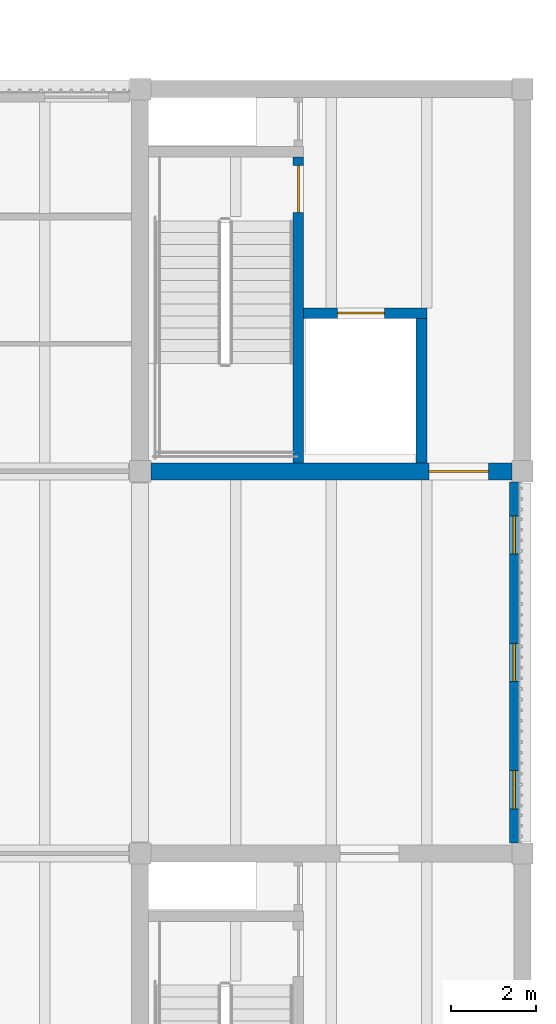
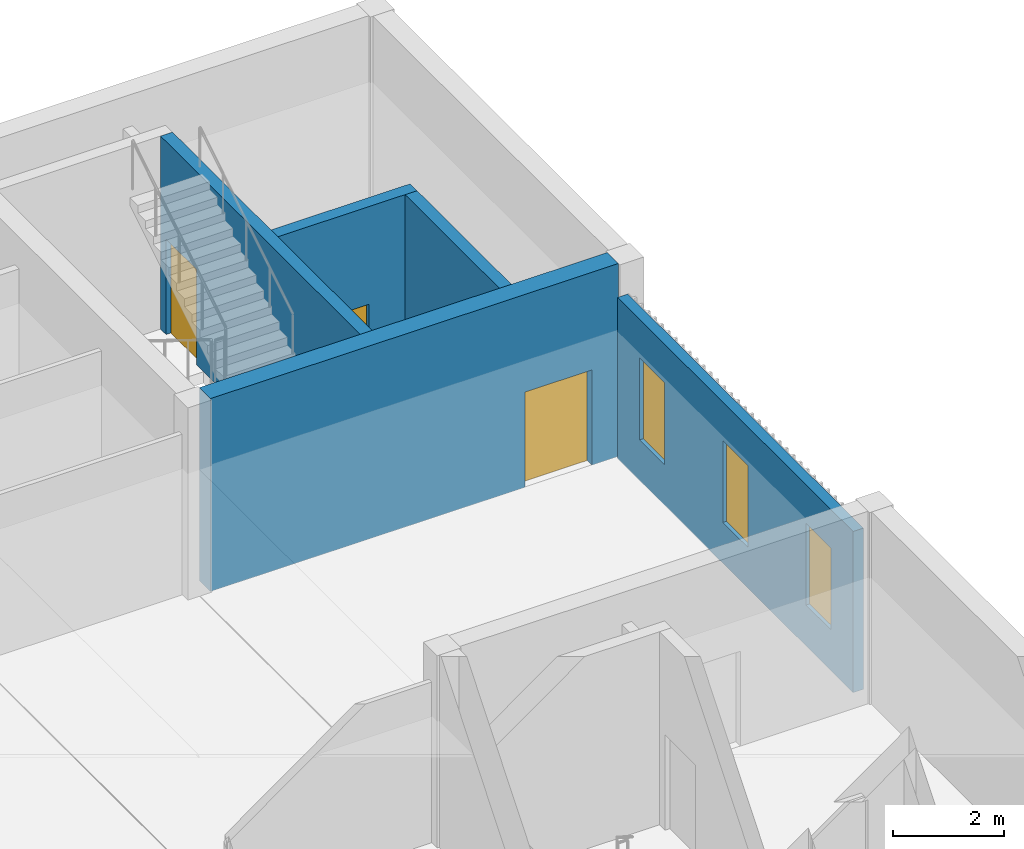
# One storey, part 56 of 92: 5 walls, 3 doors, 3 windows, 6 openings.
"""IFC4 building model written with IfcOpenShell, lengths in metres."""

from ifc_helpers import new_model, si_unit, direction, frame, frame_2d, origin, place, context, subcontext, project, spatial, rectangle, extrude, material, layer, layer_set, type_object, element, fill, save


model = new_model("IFC4")

# Units and contexts
model_context = context("Model", 3, precision=1e-05, world=origin(), true_north=direction((0.0, 1.0)))
body_context = subcontext(model_context, "Body", "Model", "MODEL_VIEW")
ifc_project = project(units=[si_unit("LENGTHUNIT", "METRE"), si_unit("AREAUNIT", "SQUARE_METRE"), si_unit("VOLUMEUNIT", "CUBIC_METRE"), si_unit("PLANEANGLEUNIT", "RADIAN"), si_unit("MASSUNIT", "GRAM", prefix="KILO")], contexts=[model_context])

# Site, building, storey
site_placement = place(None, origin())
site = spatial("IfcSite", under=ifc_project, at=site_placement, CompositionType="ELEMENT")
building_placement = place(site_placement, origin())
building = spatial("IfcBuilding", under=site, at=building_placement, Name="Merrow Basin Faculty of Sciences", CompositionType="ELEMENT")
storey_placement = place(building_placement, frame((0.0, 0.0, 4.5)))
storey = spatial("IfcBuildingStorey", under=building, at=storey_placement, Name="L01", CompositionType="ELEMENT", Elevation=4.5)

# Wall, openings, windows
ifc_material_1 = material(Name="Precast concrete C40/50", Category="concrete")
ifc_layer_1 = layer(ifc_material_1, 0.215087890625)
ifc_layer_set_1 = layer_set([ifc_layer_1], Name="External infill wall 215 Precast concrete C40/50")
wall_type_1 = type_object("IfcWallType", Name="External infill wall 215 Precast concrete C40/50", PredefinedType="STANDARD", material=ifc_layer_set_1)
wall_1_placement = place(storey_placement, frame((71.80810546875, 123.75, 0.0), z_axis=(0.0, 0.0, 1.0), x_axis=(0.0, -1.0, 0.0)))
wall_1 = element("IfcWall", 1, at=wall_1_placement, inside=storey, type_object=wall_type_1, Name="E external wall 8", PredefinedType="STANDARD", context=body_context, shape_type="SweptSolid", body=[
    extrude(rectangle(XDim=8.5, YDim=0.215087890625, at=frame_2d((4.25, 0.0))), origin(), (0.0, 0.0, 1.0), 3.550048828125),
])
opening_1_placement = place(wall_1_placement, frame((6.800048828125, 0.0, 0.89990234375)))
opening_1 = element("IfcOpeningElement", 2, at=opening_1_placement, cuts=wall_1, Name="Opening WN17", PredefinedType="OPENING", context=body_context, shape_type="SweptSolid", body=[
    extrude(rectangle(XDim=0.89990234375, YDim=1.800048828125, at=frame_2d((0.449951171875, 0.89990234375))), frame((0.0, 0.117431640625, 0.0), z_axis=(0.0, -1.0, 0.0), x_axis=(1.0, 0.0, 0.0)), (0.0, 0.0, 1.0), 0.235107421875),
])
opening_2_placement = place(wall_1_placement, frame((3.800048828125, 0.0, 0.89990234375)))
opening_2 = element("IfcOpeningElement", 3, at=opening_2_placement, cuts=wall_1, Name="Opening WN17", PredefinedType="OPENING", context=body_context, shape_type="SweptSolid", body=[
    extrude(rectangle(XDim=0.89990234375, YDim=1.800048828125, at=frame_2d((0.449951171875, 0.89990234375))), frame((0.0, 0.117431640625, 0.0), z_axis=(0.0, -1.0, 0.0), x_axis=(1.0, 0.0, 0.0)), (0.0, 0.0, 1.0), 0.235107421875),
])
opening_3_placement = place(wall_1_placement, frame((0.800048828125, 0.0, 0.89990234375)))
opening_3 = element("IfcOpeningElement", 4, at=opening_3_placement, cuts=wall_1, Name="Opening WN17", PredefinedType="OPENING", context=body_context, shape_type="SweptSolid", body=[
    extrude(rectangle(XDim=0.89990234375, YDim=1.800048828125, at=frame_2d((0.449951171875, 0.89990234375))), frame((0.0, 0.117431640625, 0.0), z_axis=(0.0, -1.0, 0.0), x_axis=(1.0, 0.0, 0.0)), (0.0, 0.0, 1.0), 0.235107421875),
])
ifc_material_2 = material(Name="Low-E double glazing", Category="glass")
window_type = type_object("IfcWindowType", Name="Boundary window 900 x 1800", PartitioningType="SINGLE_PANEL", PredefinedType="WINDOW", material=ifc_material_2)
window_1_placement = place(opening_1_placement, origin())
window_1 = element("IfcWindow", 5, at=window_1_placement, inside=storey, type_object=window_type, Name="E window L01", OverallHeight=1.800048828125, OverallWidth=0.89990234375, PartitioningType="SINGLE_PANEL", PredefinedType="WINDOW", context=body_context, shape_type="SweptSolid", body=[
    extrude(rectangle(XDim=0.89990234375, YDim=1.800048828125, at=frame_2d((0.449951171875, 0.89990234375))), frame((0.0, 0.030029296875, 0.0), z_axis=(0.0, -1.0, 0.0), x_axis=(1.0, 0.0, 0.0)), (0.0, 0.0, 1.0), 0.06005859375),
])
fill(opening_1, window_1)
window_2_placement = place(opening_2_placement, origin())
window_2 = element("IfcWindow", 6, at=window_2_placement, inside=storey, type_object=window_type, Name="E window L01", OverallHeight=1.800048828125, OverallWidth=0.89990234375, PartitioningType="SINGLE_PANEL", PredefinedType="WINDOW", context=body_context, shape_type="SweptSolid", body=[
    extrude(rectangle(XDim=0.89990234375, YDim=1.800048828125, at=frame_2d((0.449951171875, 0.89990234375))), frame((0.0, 0.030029296875, 0.0), z_axis=(0.0, -1.0, 0.0), x_axis=(1.0, 0.0, 0.0)), (0.0, 0.0, 1.0), 0.06005859375),
])
fill(opening_2, window_2)
window_3_placement = place(opening_3_placement, origin())
window_3 = element("IfcWindow", 7, at=window_3_placement, inside=storey, type_object=window_type, Name="E window L01", OverallHeight=1.800048828125, OverallWidth=0.89990234375, PartitioningType="SINGLE_PANEL", PredefinedType="WINDOW", context=body_context, shape_type="SweptSolid", body=[
    extrude(rectangle(XDim=0.89990234375, YDim=1.800048828125, at=frame_2d((0.449951171875, 0.89990234375))), frame((0.0, 0.030029296875, 0.0), z_axis=(0.0, -1.0, 0.0), x_axis=(1.0, 0.0, 0.0)), (0.0, 0.0, 1.0), 0.06005859375),
])
fill(opening_3, window_3)

# Wall, opening, door
ifc_material_3 = material(Name="Concrete C40/50", Category="concrete")
ifc_layer_2 = layer(ifc_material_3, 0.25)
ifc_layer_set_2 = layer_set([ifc_layer_2], Name="Shear wall 250 Concrete C40/50")
wall_type_2 = type_object("IfcWallType", Name="Shear wall 250 Concrete C40/50", PredefinedType="SHEAR", material=ifc_layer_set_2)
wall_2_placement = place(storey_placement, frame((66.72509765625, 124.199951171875, 0.0), z_axis=(0.0, 0.0, 1.0), x_axis=(0.0, 1.0, 0.0)))
wall_2 = element("IfcWall", 8, at=wall_2_placement, inside=storey, type_object=wall_type_2, Name="SW2 L01 030", PredefinedType="SHEAR", context=body_context, shape_type="SweptSolid", body=[
    extrude(rectangle(XDim=7.199951171875, YDim=0.25, at=frame_2d((3.60009765625, 0.0))), origin(), (0.0, 0.0, 1.0), 4.25),
])
opening_4_placement = place(wall_2_placement, frame((5.89990234375, 0.0, 0.0)))
opening_4 = element("IfcOpeningElement", 9, at=opening_4_placement, cuts=wall_2, Name="Opening D01C007", PredefinedType="OPENING", context=body_context, shape_type="SweptSolid", body=[
    extrude(rectangle(XDim=1.10009765625, YDim=2.10009765625, at=frame_2d((0.550048828125, 1.050048828125))), frame((0.0, 0.135009765625, 0.0), z_axis=(0.0, -1.0, 0.0), x_axis=(1.0, 0.0, 0.0)), (0.0, 0.0, 1.0), 0.27001953125),
])
ifc_material_4 = material(Name="Fire-rated steel door", Category="steel")
door_type_1 = type_object("IfcDoorType", Name="Fire door FD90 1100 x 2100", OperationType="NOTDEFINED", PredefinedType="DOOR", material=ifc_material_4)
door_1_placement = place(opening_4_placement, origin())
door_1 = element("IfcDoor", 10, at=door_1_placement, inside=storey, type_object=door_type_1, Name="Door D01C007", OperationType="SINGLE_SWING_RIGHT", OverallHeight=2.10009765625, OverallWidth=1.10009765625, PredefinedType="DOOR", context=body_context, shape_type="SweptSolid", body=[
    extrude(rectangle(XDim=1.10009765625, YDim=2.10009765625, at=frame_2d((0.550048828125, 1.050048828125))), frame((0.0, 0.02490234375, 0.0), z_axis=(0.0, -1.0, 0.0), x_axis=(1.0, 0.0, 0.0)), (0.0, 0.0, 1.0), 0.050048828125),
])
fill(opening_4, door_1)

wall_3_placement = place(storey_placement, frame((66.85009765625, 127.72509765625, 0.0), z_axis=(0.0, 0.0, 1.0), x_axis=(1.0, 0.0, 0.0)))
wall_3 = element("IfcWall", 11, at=wall_3_placement, inside=storey, type_object=wall_type_2, Name="SW2 L01 031", PredefinedType="SHEAR", context=body_context, shape_type="SweptSolid", body=[
    extrude(rectangle(XDim=2.89990234375, YDim=0.25, at=frame_2d((1.449951171875, 0.0))), origin(), (0.0, 0.0, 1.0), 4.25),
])
opening_5_placement = place(wall_3_placement, frame((0.800048828125, 0.0, 0.0)))
opening_5 = element("IfcOpeningElement", 12, at=opening_5_placement, cuts=wall_3, Name="Opening LD01C04", PredefinedType="OPENING", context=body_context, shape_type="SweptSolid", body=[
    extrude(rectangle(XDim=1.10009765625, YDim=2.10009765625, at=frame_2d((0.550048828125, 1.050048828125))), frame((0.0, 0.135009765625, 0.0), z_axis=(0.0, -1.0, 0.0), x_axis=(1.0, 0.0, 0.0)), (0.0, 0.0, 1.0), 0.27001953125),
])
ifc_material_5 = material(Name="Stainless steel sliding door", Category="steel")
door_type_2 = type_object("IfcDoorType", Name="Lift landing door 1100 x 2100 sliding", OperationType="NOTDEFINED", PredefinedType="DOOR", material=ifc_material_5)
door_2_placement = place(opening_5_placement, origin())
door_2 = element("IfcDoor", 13, at=door_2_placement, inside=storey, type_object=door_type_2, Name="Landing door LF8 L01", OperationType="SLIDING_TO_LEFT", OverallHeight=2.10009765625, OverallWidth=1.10009765625, PredefinedType="DOOR", context=body_context, shape_type="SweptSolid", body=[
    extrude(rectangle(XDim=1.10009765625, YDim=2.10009765625, at=frame_2d((0.550048828125, 1.050048828125))), frame((0.0, 0.02490234375, 0.0), z_axis=(0.0, -1.0, 0.0), x_axis=(1.0, 0.0, 0.0)), (0.0, 0.0, 1.0), 0.050048828125),
])
fill(opening_5, door_2)

# Wall
wall_4_placement = place(storey_placement, frame((69.625, 124.199951171875, 0.0), z_axis=(0.0, 0.0, 1.0), x_axis=(0.0, 1.0, 0.0)))
element("IfcWall", 14, at=wall_4_placement, inside=storey, type_object=wall_type_2, Name="SW2 L01 032", PredefinedType="SHEAR", context=body_context, shape_type="SweptSolid", body=[
    extrude(rectangle(XDim=3.400146484375, YDim=0.25, at=frame_2d((1.7001953125, 0.0))), origin(), (0.0, 0.0, 1.0), 4.25),
])

# Wall, opening, door
ifc_material_6 = material(Name="Concrete C40/50", Category="concrete")
ifc_layer_3 = layer(ifc_material_6, 0.39990234375)
ifc_layer_set_3 = layer_set([ifc_layer_3], Name="Shear wall 400 Concrete C40/50")
wall_type_3 = type_object("IfcWallType", Name="Shear wall 400 Concrete C40/50", PredefinedType="SHEAR", material=ifc_layer_set_3)
wall_5_placement = place(storey_placement, frame((63.25, 124.0, 0.0), z_axis=(0.0, 0.0, 1.0), x_axis=(1.0, 0.0, 0.0)))
wall_5 = element("IfcWall", 15, at=wall_5_placement, inside=storey, type_object=wall_type_3, Name="SW1 L01 025", PredefinedType="SHEAR", context=body_context, shape_type="SweptSolid", body=[
    extrude(rectangle(XDim=8.5, YDim=0.39990234375, at=frame_2d((4.25, 0.0))), origin(), (0.0, 0.0, 1.0), 4.25),
])
opening_6_placement = place(wall_5_placement, frame((6.550048828125, 0.0, 0.0)))
opening_6 = element("IfcOpeningElement", 16, at=opening_6_placement, cuts=wall_5, Name="Opening D01C008", PredefinedType="OPENING", context=body_context, shape_type="SweptSolid", body=[
    extrude(rectangle(XDim=1.39990234375, YDim=2.10009765625, at=frame_2d((0.699951171875, 1.050048828125))), frame((0.0, 0.2099609375, 0.0), z_axis=(0.0, -1.0, 0.0), x_axis=(1.0, 0.0, 0.0)), (0.0, 0.0, 1.0), 0.419921875),
])
ifc_material_7 = material(Name="Fire-rated steel door", Category="steel")
door_type_3 = type_object("IfcDoorType", Name="Fire door FD60 1400 x 2100", OperationType="NOTDEFINED", PredefinedType="DOOR", material=ifc_material_7)
door_3_placement = place(opening_6_placement, origin())
door_3 = element("IfcDoor", 17, at=door_3_placement, inside=storey, type_object=door_type_3, Name="Door D01C008", OperationType="SINGLE_SWING_RIGHT", OverallHeight=2.10009765625, OverallWidth=1.39990234375, PredefinedType="DOOR", context=body_context, shape_type="SweptSolid", body=[
    extrude(rectangle(XDim=1.39990234375, YDim=2.10009765625, at=frame_2d((0.699951171875, 1.050048828125))), frame((0.0, 0.02490234375, 0.0), z_axis=(0.0, -1.0, 0.0), x_axis=(1.0, 0.0, 0.0)), (0.0, 0.0, 1.0), 0.050048828125),
])
fill(opening_6, door_3)

save(model, "model.ifc")
